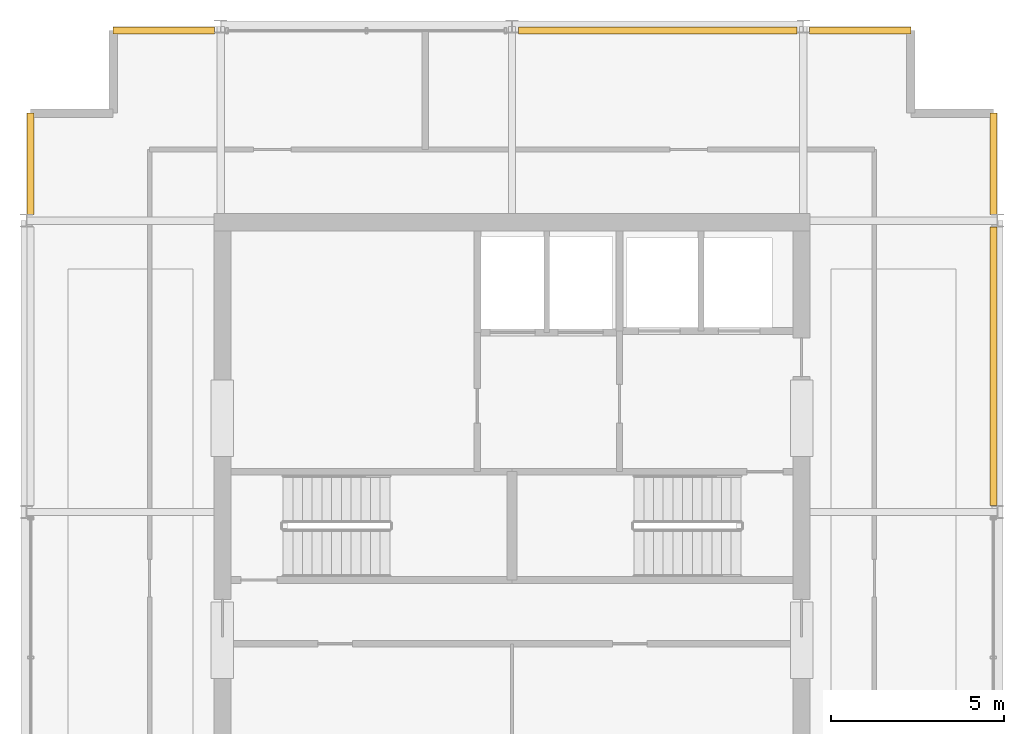
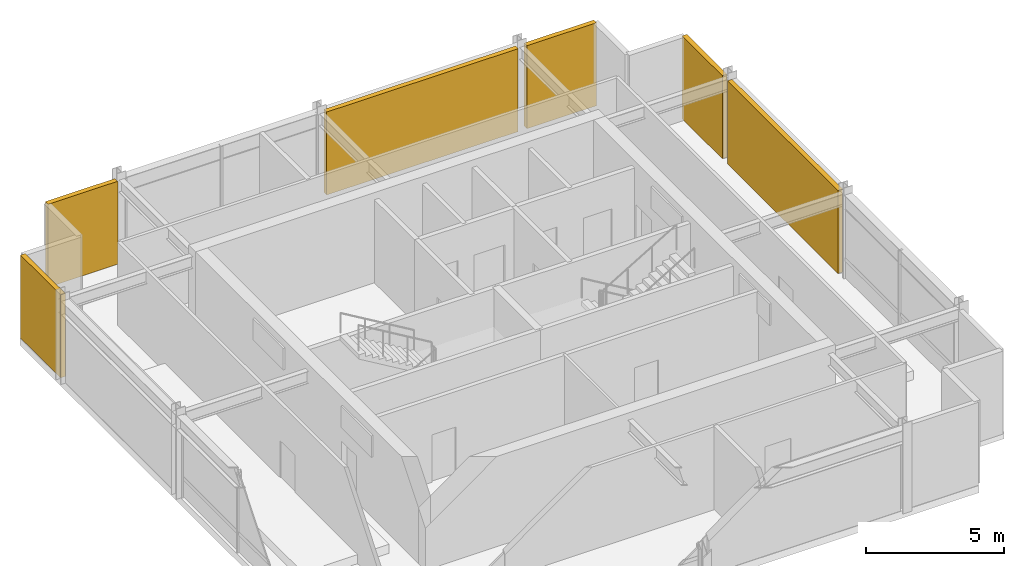
# One storey, part 12 of 12: 6 shading devices.
"""IFC4 building model written with IfcOpenShell, lengths in metres."""

from ifc_helpers import new_model, si_unit, direction, frame, origin, origin_2d, place, context, subcontext, project, spatial, rectangle, extrude, material, layer, layer_set, type_object, element, save


model = new_model("IFC4")

# Units and contexts
model_context = context("Model", 3, precision=1e-05, world=origin(), true_north=direction((0.0, 1.0)))
body_context = subcontext(model_context, "Body", "Model", "MODEL_VIEW")
ifc_project = project(units=[si_unit("LENGTHUNIT", "METRE"), si_unit("AREAUNIT", "SQUARE_METRE"), si_unit("VOLUMEUNIT", "CUBIC_METRE"), si_unit("PLANEANGLEUNIT", "RADIAN"), si_unit("MASSUNIT", "GRAM", prefix="KILO")], contexts=[model_context])

# Site, building, storey
site_placement = place(None, origin())
site = spatial("IfcSite", under=ifc_project, at=site_placement, CompositionType="ELEMENT")
building_placement = place(site_placement, origin())
building = spatial("IfcBuilding", under=site, at=building_placement, Name="Drelvath Grand Hotel", CompositionType="ELEMENT")
storey_placement = place(building_placement, frame((0.0, 0.0, 315.39990234375)))
storey = spatial("IfcBuildingStorey", under=building, at=storey_placement, Name="L82", CompositionType="ELEMENT", Elevation=315.39990234375)

# Shading devices
ifc_material = material(Name="Platinum-Mist Anodised Aluminium Louvre", Category="aluminium")
ifc_layer = layer(ifc_material, 0.199951171875)
ifc_layer_set = layer_set([ifc_layer], Name="Platinum-Mist Anodised Aluminium Louvre")
shading_device_type = type_object("IfcShadingDeviceType", Name="Crown Drum Screened Acoustic Louvre 200", PredefinedType="USERDEFINED", material=ifc_layer_set)
shading_device_1_placement = place(storey_placement, frame((-13.8798828125, 37.041015625, 0.0), z_axis=(0.0, 0.0, 1.0), x_axis=(0.0, 1.0, 0.0)))
element("IfcShadingDevice", 1, at=shading_device_1_placement, inside=storey, type_object=shading_device_type, Name="L82 Crown Drum Acoustic Louvre W-4", ObjectType="LOUVRE", PredefinedType="USERDEFINED", context=body_context, shape_type="SweptSolid", body=[
    extrude(rectangle(XDim=2.917724609375, YDim=0.199951171875, at=origin_2d()), origin(), (0.0, 0.0, 1.0), 3.679931640625),
])
shading_device_2_placement = place(storey_placement, frame((13.8798828125, 31.199951171875, 0.0), z_axis=(0.0, 0.0, 1.0), x_axis=(0.0, 1.0, 0.0)))
element("IfcShadingDevice", 2, at=shading_device_2_placement, inside=storey, type_object=shading_device_type, Name="L82 Crown Drum Acoustic Louvre E-3", ObjectType="LOUVRE", PredefinedType="USERDEFINED", context=body_context, shape_type="SweptSolid", body=[
    extrude(rectangle(XDim=8.03564453125, YDim=0.199951171875, at=origin_2d()), origin(), (0.0, 0.0, 1.0), 3.679931640625),
])
shading_device_3_placement = place(storey_placement, frame((13.8798828125, 37.041015625, 0.0), z_axis=(0.0, 0.0, 1.0), x_axis=(0.0, 1.0, 0.0)))
element("IfcShadingDevice", 3, at=shading_device_3_placement, inside=storey, type_object=shading_device_type, Name="L82 Crown Drum Acoustic Louvre E-4", ObjectType="LOUVRE", PredefinedType="USERDEFINED", context=body_context, shape_type="SweptSolid", body=[
    extrude(rectangle(XDim=2.917724609375, YDim=0.199951171875, at=origin_2d()), origin(), (0.0, 0.0, 1.0), 3.679931640625),
])
shading_device_4_placement = place(storey_placement, frame((-10.04150390625, 40.8798828125, 0.0), z_axis=(0.0, 0.0, 1.0), x_axis=(1.0, 0.0, 0.0)))
element("IfcShadingDevice", 4, at=shading_device_4_placement, inside=storey, type_object=shading_device_type, Name="L82 Crown Drum Acoustic Louvre N-1", ObjectType="LOUVRE", PredefinedType="USERDEFINED", context=body_context, shape_type="SweptSolid", body=[
    extrude(rectangle(XDim=2.9169921875, YDim=0.199951171875, at=origin_2d()), origin(), (0.0, 0.0, 1.0), 3.679931640625),
])
shading_device_5_placement = place(storey_placement, frame((4.199951171875, 40.8798828125, 0.0), z_axis=(0.0, 0.0, 1.0), x_axis=(1.0, 0.0, 0.0)))
element("IfcShadingDevice", 5, at=shading_device_5_placement, inside=storey, type_object=shading_device_type, Name="L82 Crown Drum Acoustic Louvre N-3", ObjectType="LOUVRE", PredefinedType="USERDEFINED", context=body_context, shape_type="SweptSolid", body=[
    extrude(rectangle(XDim=8.033935546875, YDim=0.199951171875, at=origin_2d()), origin(), (0.0, 0.0, 1.0), 3.679931640625),
])
shading_device_6_placement = place(storey_placement, frame((10.04150390625, 40.8798828125, 0.0), z_axis=(0.0, 0.0, 1.0), x_axis=(1.0, 0.0, 0.0)))
element("IfcShadingDevice", 6, at=shading_device_6_placement, inside=storey, type_object=shading_device_type, Name="L82 Crown Drum Acoustic Louvre N-4", ObjectType="LOUVRE", PredefinedType="USERDEFINED", context=body_context, shape_type="SweptSolid", body=[
    extrude(rectangle(XDim=2.9169921875, YDim=0.199951171875, at=origin_2d()), origin(), (0.0, 0.0, 1.0), 3.679931640625),
])

save(model, "model.ifc")
